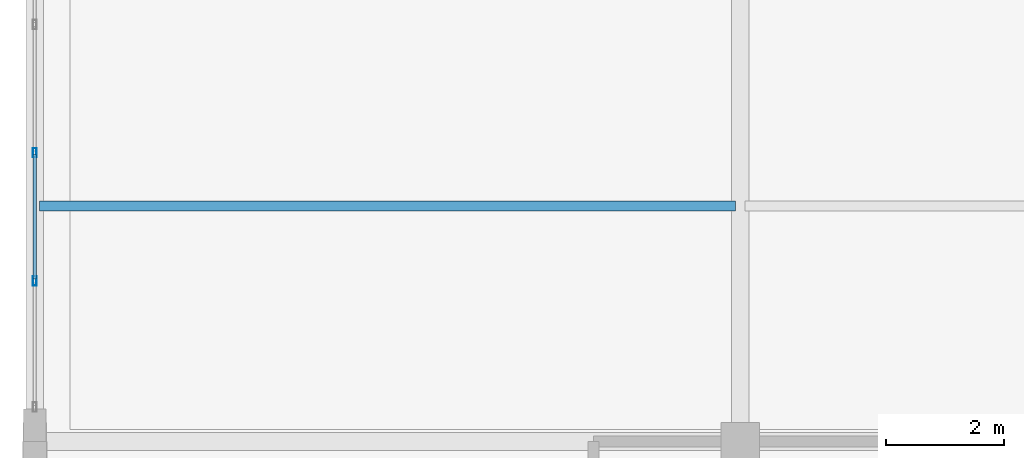
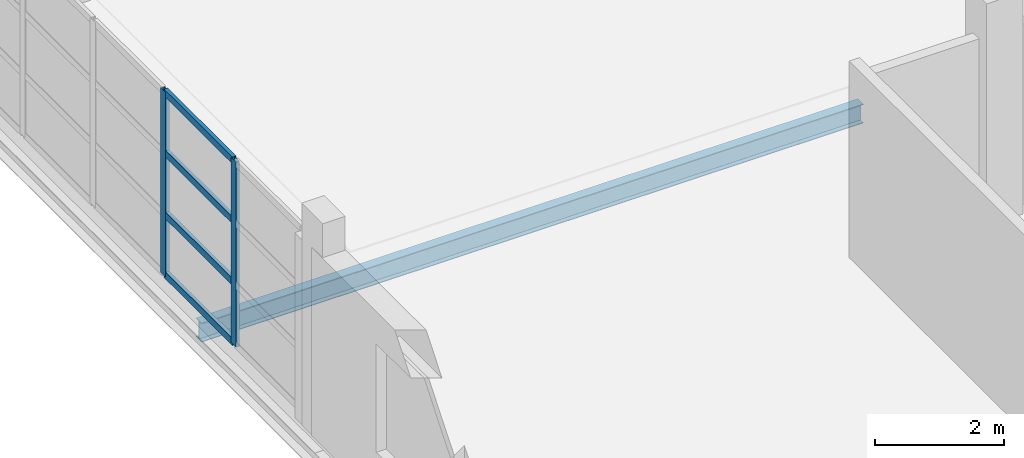
# One storey, part 114 of 158: 6 members, 1 beam, 1 element without a shape of its own.
"""IFC4 building model written with IfcOpenShell, lengths in metres."""

from ifc_helpers import new_model, si_unit, direction, frame, origin, origin_2d, place, context, subcontext, project, spatial, hollow_rectangle, i_section, extrude, material, layer, layer_set, material_profile, profile_set, type_object, element, aggregate, save


model = new_model("IFC4")

# Units and contexts
model_context = context("Model", 3, precision=1e-05, world=origin(), true_north=direction((0.0, 1.0)))
body_context = subcontext(model_context, "Body", "Model", "MODEL_VIEW")
ifc_project = project(units=[si_unit("LENGTHUNIT", "METRE"), si_unit("AREAUNIT", "SQUARE_METRE"), si_unit("VOLUMEUNIT", "CUBIC_METRE"), si_unit("PLANEANGLEUNIT", "RADIAN"), si_unit("MASSUNIT", "GRAM", prefix="KILO")], contexts=[model_context])

# Site, building, storey
site_placement = place(None, origin())
site = spatial("IfcSite", under=ifc_project, at=site_placement, CompositionType="ELEMENT")
building_placement = place(site_placement, origin())
building = spatial("IfcBuilding", under=site, at=building_placement, Name="Zilviju Railside Exhibition Hall", CompositionType="ELEMENT")
storey_placement = place(building_placement, frame((0.0, 0.0, 4.199951171875)))
storey = spatial("IfcBuildingStorey", under=building, at=storey_placement, Name="L02", CompositionType="ELEMENT", Elevation=4.199951171875)

# Beam
ifc_material_1 = material(Name="Steel S355J2", Category="steel")
ifc_material_profile_1 = material_profile(ifc_material_1, i_section(OverallWidth=0.169921875, OverallDepth=0.360107421875, WebThickness=0.008056640625, FlangeThickness=0.0126953125, at=origin_2d()), Name="IPE 360")
ifc_profile_set_1 = profile_set([ifc_material_profile_1], Name="Steel S355J2")
beam_type = type_object("IfcBeamType", Name="BM-IPE360", PredefinedType="JOIST", material=ifc_profile_set_1)
beam_placement = place(storey_placement, frame((0.080078125, 130.0, -0.530029296875), z_axis=(1.0, 0.0, 0.0), x_axis=(0.0, 1.0, 0.0)))
element("IfcBeam", 1, at=beam_placement, inside=storey, type_object=beam_type, Name="Composite Floor Joist L02 Y=130.00 (0.0..12.0)", PredefinedType="JOIST", context=body_context, shape_type="SweptSolid", body=[
    extrude(i_section(OverallWidth=0.169921875, OverallDepth=0.360107421875, WebThickness=0.008056640625, FlangeThickness=0.0126953125, at=origin_2d()), origin(), (0.0, 0.0, 1.0), 11.83984375),
])

# Curtain wall, members
ifc_material_2 = material(Name="Thermally broken aluminium-steel triple-glazed curtain wall", Category="steel")
ifc_layer = layer(ifc_material_2, 0.179931640625)
ifc_layer_set = layer_set([ifc_layer], Name="Thermally broken aluminium-steel triple-glazed curtain wall")
curtain_wall_type = type_object("IfcCurtainWallType", Name="CW-BAY-04", PredefinedType="USERDEFINED", material=ifc_layer_set)
curtain_wall_placement = place(storey_placement, origin())
curtain_wall = element("IfcCurtainWall", 2, at=curtain_wall_placement, inside=storey, type_object=curtain_wall_type, Name="Organisers Wing Jugendstils Erkeri Curtain Wall L02", ObjectType="GLAZED CURTAIN WALL", PredefinedType="USERDEFINED")
ifc_material_3 = material(Name="Thermally broken anodized aluminium mullion", Category="aluminium")
ifc_material_profile_2 = material_profile(ifc_material_3, hollow_rectangle(XDim=0.06494140625, YDim=0.159912109375, WallThickness=0.0048828125, at=origin_2d()), Name="MULLION 160x65x5")
ifc_profile_set_2 = profile_set([ifc_material_profile_2], Name="Thermally broken anodized aluminium mullion")
member_type_1 = type_object("IfcMemberType", Name="CWM-65x160", PredefinedType="MULLION", material=ifc_profile_set_2)
member_1_placement = place(storey_placement, frame((0.0, 128.72998046875, 0.0), z_axis=(0.0, 0.0, 1.0), x_axis=(-1.0, 0.0, 0.0)))
member_1 = element("IfcMember", 3, at=member_1_placement, type_object=member_type_1, Name="CW-04 mullion 2", PredefinedType="MULLION", context=body_context, shape_type="SweptSolid", body=[
    extrude(hollow_rectangle(XDim=0.06494140625, YDim=0.159912109375, WallThickness=0.0048828125, at=origin_2d()), origin(), (0.0, 0.0, 1.0), 3.5),
])
member_2_placement = place(storey_placement, frame((0.0, 130.909912109375, 0.0), z_axis=(0.0, 0.0, 1.0), x_axis=(-1.0, 0.0, 0.0)))
member_2 = element("IfcMember", 4, at=member_2_placement, type_object=member_type_1, Name="CW-04 mullion 3", PredefinedType="MULLION", context=body_context, shape_type="SweptSolid", body=[
    extrude(hollow_rectangle(XDim=0.06494140625, YDim=0.159912109375, WallThickness=0.0048828125, at=origin_2d()), origin(), (0.0, 0.0, 1.0), 3.5),
])
ifc_material_4 = material(Name="Thermally broken anodized aluminium transom", Category="aluminium")
ifc_material_profile_3 = material_profile(ifc_material_4, hollow_rectangle(XDim=0.06494140625, YDim=0.1298828125, WallThickness=0.0048828125, at=origin_2d()), Name="TRANSOM 130x65x5")
ifc_profile_set_3 = profile_set([ifc_material_profile_3], Name="Thermally broken anodized aluminium transom")
member_type_2 = type_object("IfcMemberType", Name="CWT-65x130", PredefinedType="USERDEFINED", material=ifc_profile_set_3)
member_3_placement = place(storey_placement, frame((0.0, 128.762451171875, 0.032470703125), z_axis=(0.0, 1.0, 0.0), x_axis=(-1.0, 0.0, 0.0)))
member_3 = element("IfcMember", 5, at=member_3_placement, type_object=member_type_2, Name="CW-04 transom 2.1", ObjectType="TRANSOM", PredefinedType="USERDEFINED", context=body_context, shape_type="SweptSolid", body=[
    extrude(hollow_rectangle(XDim=0.06494140625, YDim=0.1298828125, WallThickness=0.0048828125, at=origin_2d()), origin(), (0.0, 0.0, 1.0), 2.114990234375),
])
member_4_placement = place(storey_placement, frame((0.0, 128.762451171875, 1.1669921875), z_axis=(0.0, 1.0, 0.0), x_axis=(-1.0, 0.0, 0.0)))
member_4 = element("IfcMember", 6, at=member_4_placement, type_object=member_type_2, Name="CW-04 transom 2.2", ObjectType="TRANSOM", PredefinedType="USERDEFINED", context=body_context, shape_type="SweptSolid", body=[
    extrude(hollow_rectangle(XDim=0.06494140625, YDim=0.1298828125, WallThickness=0.0048828125, at=origin_2d()), origin(), (0.0, 0.0, 1.0), 2.114990234375),
])
member_5_placement = place(storey_placement, frame((0.0, 128.762451171875, 2.3330078125), z_axis=(0.0, 1.0, 0.0), x_axis=(-1.0, 0.0, 0.0)))
member_5 = element("IfcMember", 7, at=member_5_placement, type_object=member_type_2, Name="CW-04 transom 2.3", ObjectType="TRANSOM", PredefinedType="USERDEFINED", context=body_context, shape_type="SweptSolid", body=[
    extrude(hollow_rectangle(XDim=0.06494140625, YDim=0.1298828125, WallThickness=0.0048828125, at=origin_2d()), origin(), (0.0, 0.0, 1.0), 2.114990234375),
])
member_6_placement = place(storey_placement, frame((0.0, 128.762451171875, 3.467529296875), z_axis=(0.0, 1.0, 0.0), x_axis=(-1.0, 0.0, 0.0)))
member_6 = element("IfcMember", 8, at=member_6_placement, type_object=member_type_2, Name="CW-04 transom 2.4", ObjectType="TRANSOM", PredefinedType="USERDEFINED", context=body_context, shape_type="SweptSolid", body=[
    extrude(hollow_rectangle(XDim=0.06494140625, YDim=0.1298828125, WallThickness=0.0048828125, at=origin_2d()), origin(), (0.0, 0.0, 1.0), 2.114990234375),
])
aggregate(curtain_wall, [member_1, member_2, member_3, member_4, member_5, member_6])

save(model, "model.ifc")
